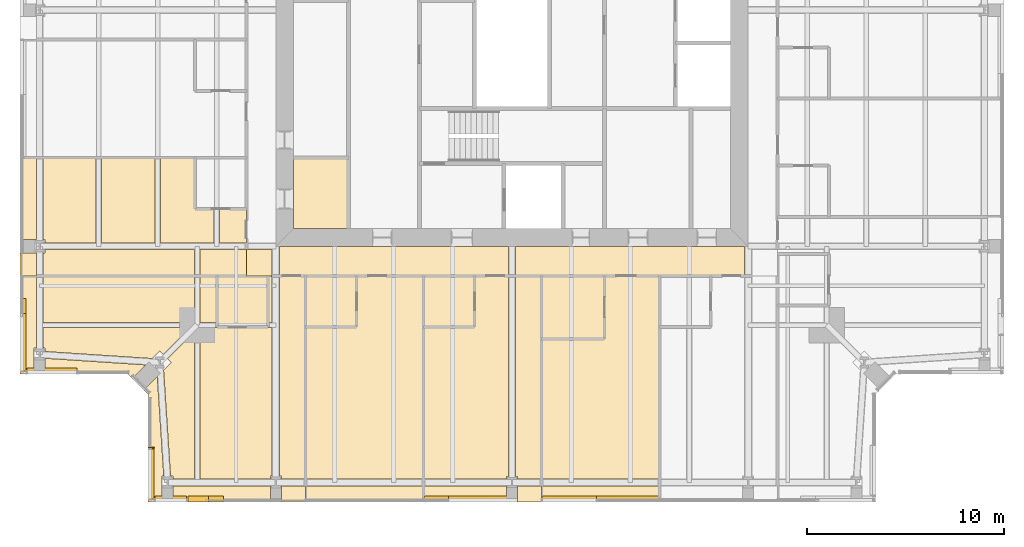
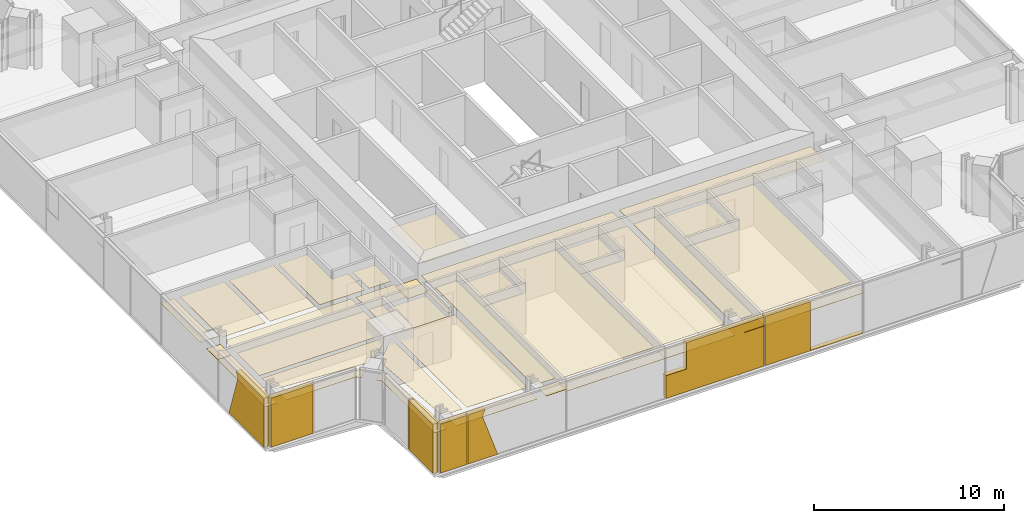
# One storey, part 16 of 20: 44 coverings.
"""IFC4 building model written with IfcOpenShell, lengths in metres."""

import ifcopenshell
import ifcopenshell.guid

model = None  # the IFC model being written
_history = None  # IfcOwnerHistory: only IFC2X3 demands one
_inside = {}  # id of a spatial element -> (the spatial element, [elements in it])
_under = {}  # id of a project, library or spatial element -> (it, [spatial elements below it])
_declared = {}  # id of a project -> (the project, [libraries it declares])
_typed = {}  # id of a type object -> (the type object, [elements of that type])
_made_of = {}  # id of a material, layer set ... -> (it, [elements and type objects made of it])


def new_model(schema):
    """Start an empty IFC model of exactly this schema.

    Asked for "IFC4X3", IfcOpenShell would pick the latest addendum, in which some entities
    have other attributes; the version numbers below select the first issue.
    IFC2X3 requires an IfcOwnerHistory on every rooted entity: one is made here for all.
    """
    global model, _history
    if schema == "IFC4X3":
        model = ifcopenshell.file(schema_version=(4, 3, 0, 0))
    else:
        model = ifcopenshell.file(schema=schema)
    _inside.clear()
    _under.clear()
    _declared.clear()
    _typed.clear()
    _made_of.clear()
    _history = None
    if model.schema == "IFC2X3":
        org = make("IfcOrganization", Name="unknown")
        user = make(
            "IfcPersonAndOrganization",
            ThePerson=make("IfcPerson", FamilyName="unknown"),
            TheOrganization=org,
        )
        app = make(
            "IfcApplication",
            ApplicationDeveloper=org,
            Version="unknown",
            ApplicationFullName="unknown",
            ApplicationIdentifier="unknown",
        )
        _history = make(
            "IfcOwnerHistory",
            OwningUser=user,
            OwningApplication=app,
            ChangeAction="ADDED",
            CreationDate=0,
        )
    return model


def make(cls, **values):
    """One entity of the class cls with the attributes given. An attribute that is None is left unset."""
    return model.create_entity(
        cls, **{name: value for name, value in values.items() if value is not None}
    )


def rooted(cls, **values):
    """An entity with a GlobalId (a new one), such as an element, a storey or a relation."""
    return make(cls, GlobalId=ifcopenshell.guid.new(), OwnerHistory=_history, **values)


def si_unit(unit_type, name, prefix=None):
    """IfcSIUnit, for example si_unit("LENGTHUNIT", "METRE", prefix="MILLI")."""
    return make("IfcSIUnit", UnitType=unit_type, Prefix=prefix, Name=name)


def assignment(units):
    """IfcUnitAssignment: the units of a project."""
    return None if units is None else make("IfcUnitAssignment", Units=units)


def point(xyz):
    """IfcCartesianPoint."""
    return None if xyz is None else make("IfcCartesianPoint", Coordinates=xyz)


def direction(xyz):
    """IfcDirection."""
    return None if xyz is None else make("IfcDirection", DirectionRatios=xyz)


def frame(location, z_axis=None, x_axis=None):
    """IfcAxis2Placement3D, a coordinate frame: its origin and axes. An axis left out is left unset."""
    return make(
        "IfcAxis2Placement3D",
        Location=point(location),
        Axis=direction(z_axis),
        RefDirection=direction(x_axis),
    )


def origin():
    """The frame at (0, 0, 0) with its axes left unset."""
    return frame((0.0, 0.0, 0.0))


def place(relative_to, where):
    """IfcLocalPlacement: puts the frame where relative to a parent placement (None: the world)."""
    return make(
        "IfcLocalPlacement", PlacementRelTo=relative_to, RelativePlacement=where
    )


def context(
    kind, dimensions, precision=None, world=None, true_north=None, identifier=None
):
    """IfcGeometricRepresentationContext, for example the 3D "Model" context."""
    return make(
        "IfcGeometricRepresentationContext",
        ContextIdentifier=identifier,
        ContextType=kind,
        CoordinateSpaceDimension=dimensions,
        Precision=precision,
        WorldCoordinateSystem=world,
        TrueNorth=true_north,
    )


def subcontext(parent, identifier, kind, view, scale=None):
    """IfcGeometricRepresentationSubContext, for example "Body" below "Model"."""
    return make(
        "IfcGeometricRepresentationSubContext",
        ContextIdentifier=identifier,
        ContextType=kind,
        ParentContext=parent,
        TargetScale=scale,
        TargetView=view,
    )


def project(units=None, contexts=None):
    """IfcProject with its units and contexts."""
    return rooted(
        "IfcProject",
        Name="project",
        RepresentationContexts=contexts,
        UnitsInContext=assignment(units),
    )


def spatial(cls, under=None, at=None, **own):
    """A site, building, storey or space (cls), placed at a placement, below another one or the project."""
    s = rooted(cls, ObjectPlacement=at, **own)
    if under is not None:
        _under.setdefault(under.id(), (under, []))[1].append(s)
    return s


def polyline(points):
    """IfcPolyline through the points."""
    return make("IfcPolyline", Points=[point(p) for p in points])


def outline(outer, holes=None, kind="AREA"):
    """IfcArbitraryClosedProfileDef: a profile drawn as a closed curve; with holes, ...WithVoids."""
    if holes is None:
        return make("IfcArbitraryClosedProfileDef", ProfileType=kind, OuterCurve=outer)
    return make(
        "IfcArbitraryProfileDefWithVoids",
        ProfileType=kind,
        OuterCurve=outer,
        InnerCurves=holes,
    )


def extrude(swept, where, along, depth):
    """IfcExtrudedAreaSolid: the profile swept, set in the frame where, extruded along a direction by depth."""
    return make(
        "IfcExtrudedAreaSolid",
        SweptArea=swept,
        Position=where,
        ExtrudedDirection=direction(along),
        Depth=depth,
    )


def shape(context_of_items, identifier, shape_type, items):
    """IfcShapeRepresentation: the items that make up one representation, for example the "Body"."""
    return make(
        "IfcShapeRepresentation",
        ContextOfItems=context_of_items,
        RepresentationIdentifier=identifier,
        RepresentationType=shape_type,
        Items=items,
    )


def material(Name=None, Category=None):
    """IfcMaterial."""
    return make("IfcMaterial", Name=Name, Category=Category)


def layer(
    of_material, thickness, ventilated=None, Name=None, Category=None, Priority=None
):
    """IfcMaterialLayer: one layer of a wall or slab, of a material (None: an air gap)."""
    return make(
        "IfcMaterialLayer",
        Material=of_material,
        LayerThickness=thickness,
        IsVentilated=ventilated,
        Name=Name,
        Category=Category,
        Priority=Priority,
    )


def layer_set(layers, Name=None):
    """IfcMaterialLayerSet."""
    return make("IfcMaterialLayerSet", MaterialLayers=layers, LayerSetName=Name)


def made_of(thing, what):
    """Note that an element or type object is made of a material, layer set ...; save() writes the relation."""
    if what is not None:
        _made_of.setdefault(what.id(), (what, []))[1].append(thing)
    return thing


def type_object(cls, material=None, **own):
    """A type object (cls), such as IfcWallType, which elements share."""
    return made_of(rooted(cls, **own), material)


def element(
    cls,
    number,
    at=None,
    inside=None,
    cuts=None,
    type_object=None,
    material=None,
    context=None,
    identifier="Body",
    shape_type=None,
    held_by="IfcProductDefinitionShape",
    body=None,
    shapes=None,
    **own,
):
    """One element of the class cls, such as IfcWall. Its Tag is "e" and its number.

    at: its placement. inside: the storey or other place that contains it. cuts: it is an
    opening in that element (IfcRelVoidsElement). A single representation is given by context,
    identifier, shape_type and body (its items); several are given by shapes. held_by: the class
    of the entity that holds the representations. save() writes the other relations.
    """
    e = rooted(cls, Tag="e%d" % number, ObjectPlacement=at, **own)
    if body is not None:
        shapes = [shape(context, identifier, shape_type, body)]
    if shapes is not None:
        e.Representation = make(held_by, Representations=shapes)
    if inside is not None:
        _inside.setdefault(inside.id(), (inside, []))[1].append(e)
    if cuts is not None:
        rooted(
            "IfcRelVoidsElement", RelatingBuildingElement=cuts, RelatedOpeningElement=e
        )
    if type_object is not None:
        _typed.setdefault(type_object.id(), (type_object, []))[1].append(e)
    return made_of(e, material)


def aggregate(whole, parts):
    """IfcRelAggregates: a whole, such as a stair, and the parts it consists of."""
    return rooted("IfcRelAggregates", RelatingObject=whole, RelatedObjects=parts)


def save(model, path):
    """Write the relations noted so far, then the file.

    IfcRelAggregates (storeys below a building ...), IfcRelContainedInSpatialStructure (elements
    in a storey), IfcRelDefinesByType, IfcRelAssociatesMaterial and IfcRelDeclares: one each for
    every whole, place, type object, material and project.
    """
    for whole, parts in _under.values():
        aggregate(whole, parts)
    for where, things in _inside.values():
        rooted(
            "IfcRelContainedInSpatialStructure",
            RelatedElements=things,
            RelatingStructure=where,
        )
    for kind, things in _typed.values():
        rooted("IfcRelDefinesByType", RelatedObjects=things, RelatingType=kind)
    for what, things in _made_of.values():
        rooted("IfcRelAssociatesMaterial", RelatedObjects=things, RelatingMaterial=what)
    for by, libraries in _declared.values():
        rooted("IfcRelDeclares", RelatingContext=by, RelatedDefinitions=libraries)
    model.write(path)


model = new_model("IFC4")

# Units and contexts
model_context = context("Model", 3, precision=1e-05, world=origin(), true_north=direction((0.0, 1.0)))
body_context = subcontext(model_context, "Body", "Model", "MODEL_VIEW")
ifc_project = project(units=[si_unit("LENGTHUNIT", "METRE"), si_unit("AREAUNIT", "SQUARE_METRE"), si_unit("VOLUMEUNIT", "CUBIC_METRE"), si_unit("PLANEANGLEUNIT", "RADIAN"), si_unit("MASSUNIT", "GRAM", prefix="KILO")], contexts=[model_context])

# Site, building, storey
site_placement = place(None, origin())
site = spatial("IfcSite", under=ifc_project, at=site_placement, CompositionType="ELEMENT")
building_placement = place(site_placement, origin())
building = spatial("IfcBuilding", under=site, at=building_placement, Name="Fenwick Lantern Interchange", CompositionType="ELEMENT")
storey_placement = place(building_placement, frame((0.0, 0.0, 252.60009765625)))
storey = spatial("IfcBuildingStorey", under=building, at=storey_placement, Name="L59", CompositionType="ELEMENT", Elevation=252.60009765625)

# Coverings
ifc_material_1 = material(Name="Granite cladding, warm grey flamed finish, on aluminium carrier frame", Category="masonry")
ifc_layer_1 = layer(ifc_material_1, 0.300048828125)
ifc_layer_set_1 = layer_set([ifc_layer_1], Name="BRACE CASING PANEL 300")
covering_type_1 = type_object("IfcCoveringType", Name="BRACE CASING PANEL 300", PredefinedType="CLADDING", material=ifc_layer_set_1)
covering_1_placement = place(storey_placement, frame((6.60009765625, 0.10009765625, 0.0), z_axis=(0.0, 0.0, 1.0), x_axis=(1.0, 0.0, 0.0)))
element("IfcCovering", 1, at=covering_1_placement, inside=storey, type_object=covering_type_1, Name="Brace casing 01 bay 00a", PredefinedType="CLADDING", context=body_context, shape_type="SweptSolid", body=[
    extrude(outline(polyline([(0.260009765625, 0.0), (1.8701171875, 0.0), (1.8701171875, 3.14990234375), (0.260009765625, 3.14990234375), (0.260009765625, 0.0)])), frame((0.0, 0.2099609375, 0.0), z_axis=(0.0, -1.0, 0.0), x_axis=(1.0, 0.0, 0.0)), (0.0, 0.0, 1.0), 0.300048828125),
])
covering_2_placement = place(storey_placement, frame((6.60009765625, 0.10009765625, 0.0), z_axis=(0.0, 0.0, 1.0), x_axis=(1.0, 0.0, 0.0)))
element("IfcCovering", 2, at=covering_2_placement, inside=storey, type_object=covering_type_1, Name="Brace casing 01 bay 01a", PredefinedType="CLADDING", context=body_context, shape_type="SweptSolid", body=[
    extrude(outline(polyline([(1.929931640625, 0.0), (3.7431640625, 0.0), (2.81884765625, 2.737548828125), (2.985595703125, 3.14990234375), (1.929931640625, 3.14990234375), (1.929931640625, 0.0)])), frame((0.0, 0.2099609375, 0.0), z_axis=(0.0, -1.0, 0.0), x_axis=(1.0, 0.0, 0.0)), (0.0, 0.0, 1.0), 0.300048828125),
])
covering_3_placement = place(storey_placement, frame((6.60009765625, 0.10009765625, 0.0), z_axis=(0.0, 0.0, 1.0), x_axis=(1.0, 0.0, 0.0)))
element("IfcCovering", 3, at=covering_3_placement, inside=storey, type_object=covering_type_1, Name="Brace casing 01 bay 03a", PredefinedType="CLADDING", context=body_context, shape_type="SweptSolid", body=[
    extrude(outline(polyline([(13.929931640625, 0.0), (19.8701171875, 0.0), (19.8701171875, 3.14990234375), (15.179931640625, 3.14990234375), (15.179931640625, 1.45751953125), (13.929931640625, 1.45751953125), (13.929931640625, 0.0)])), frame((0.0, 0.2099609375, 0.0), z_axis=(0.0, -1.0, 0.0), x_axis=(1.0, 0.0, 0.0)), (0.0, 0.0, 1.0), 0.300048828125),
])
covering_4_placement = place(storey_placement, frame((6.60009765625, 0.10009765625, 0.0), z_axis=(0.0, 0.0, 1.0), x_axis=(1.0, 0.0, 0.0)))
element("IfcCovering", 4, at=covering_4_placement, inside=storey, type_object=covering_type_1, Name="Brace casing 01 bay 04a", PredefinedType="CLADDING", context=body_context, shape_type="SweptSolid", body=[
    extrude(outline(polyline([(19.929931640625, 0.0), (25.8701171875, 0.0), (25.8701171875, 0.004150390625), (22.690673828125, 0.004150390625), (22.690673828125, 3.14990234375), (19.929931640625, 3.14990234375), (19.929931640625, 0.0)])), frame((0.0, 0.2099609375, 0.0), z_axis=(0.0, -1.0, 0.0), x_axis=(1.0, 0.0, 0.0)), (0.0, 0.0, 1.0), 0.300048828125),
])
covering_5_placement = place(storey_placement, frame((0.10009765625, 43.39990234375, 0.0), z_axis=(0.0, 0.0, 1.0), x_axis=(0.0, -1.0, 0.0)))
element("IfcCovering", 5, at=covering_5_placement, inside=storey, type_object=covering_type_1, Name="Brace casing 13 bay 06a", PredefinedType="CLADDING", context=body_context, shape_type="SweptSolid", body=[
    extrude(outline(polyline([(33.056884765625, 0.0), (36.739990234375, 0.0), (36.739990234375, 3.14990234375), (33.814453125, 3.14990234375), (33.981201171875, 2.737548828125), (33.056884765625, 0.0)])), frame((0.0, 0.2099609375, 0.0), z_axis=(0.0, -1.0, 0.0), x_axis=(1.0, 0.0, 0.0)), (0.0, 0.0, 1.0), 0.300048828125),
])
covering_6_placement = place(storey_placement, frame((0.10009765625, 6.60009765625, 0.0), z_axis=(0.0, 0.0, 1.0), x_axis=(1.0, 0.0, 0.0)))
element("IfcCovering", 6, at=covering_6_placement, inside=storey, type_object=covering_type_1, Name="Brace casing 14 bay 00a", PredefinedType="CLADDING", context=body_context, shape_type="SweptSolid", body=[
    extrude(outline(polyline([(0.260009765625, 0.0), (2.790771484375, 0.0), (2.790771484375, 3.14990234375), (0.260009765625, 3.14990234375), (0.260009765625, 0.0)])), frame((0.0, 0.2099609375, 0.0), z_axis=(0.0, -1.0, 0.0), x_axis=(1.0, 0.0, 0.0)), (0.0, 0.0, 1.0), 0.300048828125),
])
covering_7_placement = place(storey_placement, frame((6.60009765625, 5.54150390625, 0.0), z_axis=(0.0, 0.0, 1.0), x_axis=(0.0, -1.0, 0.0)))
element("IfcCovering", 7, at=covering_7_placement, inside=storey, type_object=covering_type_1, Name="Brace casing 16 bay 00a", PredefinedType="CLADDING", context=body_context, shape_type="SweptSolid", body=[
    extrude(outline(polyline([(2.741455078125, 0.0), (2.790771484375, 0.0), (2.790771484375, 3.14990234375), (2.741455078125, 3.14990234375), (2.741455078125, 0.0)])), frame((0.0, 0.2099609375, 0.0), z_axis=(0.0, -1.0, 0.0), x_axis=(1.0, 0.0, 0.0)), (0.0, 0.0, 1.0), 0.300048828125),
])
covering_8_placement = place(storey_placement, frame((6.60009765625, 5.54150390625, 0.0), z_axis=(0.0, 0.0, 1.0), x_axis=(0.0, -1.0, 0.0)))
element("IfcCovering", 8, at=covering_8_placement, inside=storey, type_object=covering_type_1, Name="Brace casing 16 bay 01a", PredefinedType="CLADDING", context=body_context, shape_type="SweptSolid", body=[
    extrude(outline(polyline([(2.850830078125, 0.0), (5.38134765625, 0.0), (5.38134765625, 3.14990234375), (2.850830078125, 3.14990234375), (2.850830078125, 0.0)])), frame((0.0, 0.2099609375, 0.0), z_axis=(0.0, -1.0, 0.0), x_axis=(1.0, 0.0, 0.0)), (0.0, 0.0, 1.0), 0.300048828125),
])
ifc_material_2 = material(Name="Moisture resistant gypsum board on suspended frame, painted")
ifc_layer_2 = layer(ifc_material_2, 0.014892578125)
ifc_layer_set_2 = layer_set([ifc_layer_2], Name="MOISTURE RESISTANT CEILING 15")
covering_type_2 = type_object("IfcCoveringType", Name="MOISTURE RESISTANT CEILING 15", PredefinedType="CEILING", material=ifc_layer_set_2)
covering_9_placement = place(storey_placement, frame((0.0, 0.0, 2.599853515625)))
element("IfcCovering", 9, at=covering_9_placement, inside=storey, type_object=covering_type_2, Name="Accessible WC and shower ceiling", PredefinedType="CEILING", context=body_context, shape_type="SweptSolid", body=[
    extrude(outline(polyline([(13.89990234375, 13.89990234375), (16.699951171875, 13.89990234375), (16.699951171875, 17.5), (13.89990234375, 17.5), (13.89990234375, 13.89990234375)])), origin(), (0.0, 0.0, 1.0), 0.01513671875),
])
covering_10_placement = place(storey_placement, frame((0.0, 0.0, 2.39990234375)))
element("IfcCovering", 10, at=covering_10_placement, inside=storey, type_object=covering_type_2, Name="En-suite 5901 ceiling", PredefinedType="CEILING", context=body_context, shape_type="SweptSolid", body=[
    extrude(outline(polyline([(10.0, 8.89990234375), (12.60009765625, 8.89990234375), (12.60009765625, 11.5), (10.0, 11.5), (10.0, 8.89990234375)])), origin(), (0.0, 0.0, 1.0), 0.014892578125),
])
covering_11_placement = place(storey_placement, frame((0.0, 0.0, 2.39990234375)))
element("IfcCovering", 11, at=covering_11_placement, inside=storey, type_object=covering_type_2, Name="En-suite 5902 ceiling", PredefinedType="CEILING", context=body_context, shape_type="SweptSolid", body=[
    extrude(outline(polyline([(14.5, 8.89990234375), (17.10009765625, 8.89990234375), (17.10009765625, 11.5), (14.5, 11.5), (14.5, 8.89990234375)])), origin(), (0.0, 0.0, 1.0), 0.014892578125),
])
covering_12_placement = place(storey_placement, frame((0.0, 0.0, 2.39990234375)))
element("IfcCovering", 12, at=covering_12_placement, inside=storey, type_object=covering_type_2, Name="En-suite 5903 ceiling", PredefinedType="CEILING", context=body_context, shape_type="SweptSolid", body=[
    extrude(outline(polyline([(20.5, 8.89990234375), (23.10009765625, 8.89990234375), (23.10009765625, 11.5), (20.5, 11.5), (20.5, 8.89990234375)])), origin(), (0.0, 0.0, 1.0), 0.014892578125),
])
covering_13_placement = place(storey_placement, frame((0.0, 0.0, 2.39990234375)))
element("IfcCovering", 13, at=covering_13_placement, inside=storey, type_object=covering_type_2, Name="En-suite 5904 ceiling", PredefinedType="CEILING", context=body_context, shape_type="SweptSolid", body=[
    extrude(outline(polyline([(26.5, 8.300048828125), (29.699951171875, 8.300048828125), (29.699951171875, 11.5), (26.5, 11.5), (26.5, 8.300048828125)])), origin(), (0.0, 0.0, 1.0), 0.014892578125),
])
ifc_material_3 = material(Name="Gypsum plasterboard on suspended frame, painted")
ifc_layer_3 = layer(ifc_material_3, 0.014892578125)
ifc_layer_set_3 = layer_set([ifc_layer_3], Name="PLASTERBOARD CEILING 15")
covering_type_3 = type_object("IfcCoveringType", Name="PLASTERBOARD CEILING 15", PredefinedType="CEILING", material=ifc_layer_set_3)
covering_14_placement = place(storey_placement, frame((0.0, 0.0, 2.57275390625)))
element("IfcCovering", 14, at=covering_14_placement, inside=storey, type_object=covering_type_3, Name="Corridor ceiling", PredefinedType="CEILING", context=body_context, shape_type="SweptSolid", body=[
    extrude(outline(polyline([(13.183837890625, 11.5), (24.816162109375, 11.5), (24.816162109375, 13.0), (13.183837890625, 13.0), (13.183837890625, 11.5)])), origin(), (0.0, 0.0, 1.0), 0.014892578125),
])
covering_15_placement = place(storey_placement, frame((0.0, 0.0, 2.57275390625)))
element("IfcCovering", 15, at=covering_15_placement, inside=storey, type_object=covering_type_3, Name="Corridor ceiling", PredefinedType="CEILING", context=body_context, shape_type="SweptSolid", body=[
    extrude(outline(polyline([(25.183837890625, 11.5), (36.816162109375, 11.5), (36.816162109375, 13.0), (25.183837890625, 13.0), (25.183837890625, 11.5)])), origin(), (0.0, 0.0, 1.0), 0.014892578125),
])
covering_16_placement = place(storey_placement, frame((0.0, 0.0, 2.57275390625)))
element("IfcCovering", 16, at=covering_16_placement, inside=storey, type_object=covering_type_3, Name="Corridor ceiling", PredefinedType="CEILING", context=body_context, shape_type="SweptSolid", body=[
    extrude(outline(polyline([(11.5, 11.5), (12.816162109375, 11.5), (12.816162109375, 12.833984375), (11.5, 12.833984375), (11.5, 11.5)])), origin(), (0.0, 0.0, 1.0), 0.014892578125),
])
covering_17_placement = place(storey_placement, frame((0.0, 0.0, 2.699951171875)))
element("IfcCovering", 17, at=covering_17_placement, inside=storey, type_object=covering_type_3, Name="Guest suite 5901 ceiling", PredefinedType="CEILING", context=body_context, shape_type="SweptSolid", body=[
    extrude(outline(polyline([(12.72265625, 1.33447265625), (12.816162109375, 1.33447265625), (12.816162109375, 8.865478515625), (9.134521484375, 8.865478515625), (9.134521484375, 1.17236328125), (12.72265625, 1.17236328125), (12.72265625, 1.33447265625)])), origin(), (0.0, 0.0, 1.0), 0.014892578125),
])
covering_18_placement = place(storey_placement, frame((0.0, 0.0, 2.699951171875)))
element("IfcCovering", 18, at=covering_18_placement, inside=storey, type_object=covering_type_3, Name="Guest suite 5901 ceiling", PredefinedType="CEILING", context=body_context, shape_type="SweptSolid", body=[
    extrude(outline(polyline([(8.865478515625, 11.5), (1.17236328125, 11.5), (1.17236328125, 9.134521484375), (8.865478515625, 9.134521484375), (8.865478515625, 11.5)])), origin(), (0.0, 0.0, 1.0), 0.014892578125),
])
covering_19_placement = place(storey_placement, frame((0.0, 0.0, 2.699951171875)))
element("IfcCovering", 19, at=covering_19_placement, inside=storey, type_object=covering_type_3, Name="Guest suite 5901 ceiling", PredefinedType="CEILING", context=body_context, shape_type="SweptSolid", body=[
    extrude(outline(polyline([(14.5, 11.5), (13.183837890625, 11.5), (13.183837890625, 1.33447265625), (13.27734375, 1.33447265625), (13.27734375, 1.17236328125), (14.5, 1.17236328125), (14.5, 11.5)])), origin(), (0.0, 0.0, 1.0), 0.014892578125),
])
covering_20_placement = place(storey_placement, frame((0.0, 0.0, 2.699951171875)))
element("IfcCovering", 20, at=covering_20_placement, inside=storey, type_object=covering_type_3, Name="Guest suite 5901 ceiling", PredefinedType="CEILING", context=body_context, shape_type="SweptSolid", body=[
    extrude(outline(polyline([(7.10009765625, 7.6826171875), (7.28271484375, 7.499755859375), (8.648681640625, 8.865478515625), (1.17236328125, 8.865478515625), (1.17236328125, 7.83447265625), (1.27734375, 7.83447265625), (1.27734375, 7.654541015625), (6.715576171875, 7.298095703125), (7.10009765625, 7.6826171875)])), origin(), (0.0, 0.0, 1.0), 0.014892578125),
])
covering_21_placement = place(storey_placement, frame((0.0, 0.0, 2.699951171875)))
element("IfcCovering", 21, at=covering_21_placement, inside=storey, type_object=covering_type_3, Name="Guest suite 5901 ceiling", PredefinedType="CEILING", context=body_context, shape_type="SweptSolid", body=[
    extrude(outline(polyline([(7.77734375, 1.33447265625), (7.77734375, 1.17236328125), (8.865478515625, 1.17236328125), (8.865478515625, 8.648681640625), (7.499755859375, 7.28271484375), (7.6826171875, 7.10009765625), (7.298095703125, 6.715576171875), (7.65087890625, 1.33447265625), (7.77734375, 1.33447265625)])), origin(), (0.0, 0.0, 1.0), 0.014892578125),
])
covering_22_placement = place(storey_placement, frame((0.0, 0.0, 2.699951171875)))
element("IfcCovering", 22, at=covering_22_placement, inside=storey, type_object=covering_type_3, Name="Guest suite 5901 ceiling", PredefinedType="CEILING", context=body_context, shape_type="SweptSolid", body=[
    extrude(outline(polyline([(7.22265625, 1.33447265625), (7.30517578125, 1.33447265625), (6.9736328125, 6.39111328125), (6.291259765625, 5.708740234375), (6.5, 5.5), (6.5, 0.0), (7.22265625, 0.0), (7.22265625, 1.33447265625)])), origin(), (0.0, 0.0, 1.0), 0.014892578125),
])
covering_23_placement = place(storey_placement, frame((0.0, 0.0, 2.699951171875)))
element("IfcCovering", 23, at=covering_23_placement, inside=storey, type_object=covering_type_3, Name="Guest suite 5901 ceiling", PredefinedType="CEILING", context=body_context, shape_type="SweptSolid", body=[
    extrude(outline(polyline([(12.72265625, 0.0), (12.72265625, 0.82763671875), (7.77734375, 0.82763671875), (7.77734375, 0.0), (12.72265625, 0.0)])), origin(), (0.0, 0.0, 1.0), 0.014892578125),
])
covering_24_placement = place(storey_placement, frame((0.0, 0.0, 2.699951171875)))
element("IfcCovering", 24, at=covering_24_placement, inside=storey, type_object=covering_type_3, Name="Guest suite 5901 ceiling", PredefinedType="CEILING", context=body_context, shape_type="SweptSolid", body=[
    extrude(outline(polyline([(0.72265625, 7.83447265625), (0.82763671875, 7.83447265625), (0.82763671875, 11.5), (0.0, 11.5), (0.0, 6.5), (0.72265625, 6.5), (0.72265625, 7.83447265625)])), origin(), (0.0, 0.0, 1.0), 0.014892578125),
])
covering_25_placement = place(storey_placement, frame((0.0, 0.0, 2.699951171875)))
element("IfcCovering", 25, at=covering_25_placement, inside=storey, type_object=covering_type_3, Name="Guest suite 5901 ceiling", PredefinedType="CEILING", context=body_context, shape_type="SweptSolid", body=[
    extrude(outline(polyline([(5.708740234375, 6.291259765625), (6.39111328125, 6.9736328125), (1.27734375, 7.30908203125), (1.27734375, 6.5), (5.5, 6.5), (5.708740234375, 6.291259765625)])), origin(), (0.0, 0.0, 1.0), 0.014892578125),
])
covering_26_placement = place(storey_placement, frame((0.0, 0.0, 2.699951171875)))
element("IfcCovering", 26, at=covering_26_placement, inside=storey, type_object=covering_type_3, Name="Guest suite 5901 ceiling", PredefinedType="CEILING", context=body_context, shape_type="SweptSolid", body=[
    extrude(outline(polyline([(10.0, 9.134521484375), (10.0, 11.5), (9.134521484375, 11.5), (9.134521484375, 9.134521484375), (10.0, 9.134521484375)])), origin(), (0.0, 0.0, 1.0), 0.014892578125),
])
covering_27_placement = place(storey_placement, frame((0.0, 0.0, 2.699951171875)))
element("IfcCovering", 27, at=covering_27_placement, inside=storey, type_object=covering_type_3, Name="Guest suite 5901 ceiling", PredefinedType="CEILING", context=body_context, shape_type="SweptSolid", body=[
    extrude(outline(polyline([(14.5, 0.0), (14.5, 0.82763671875), (13.27734375, 0.82763671875), (13.27734375, 0.0), (14.5, 0.0)])), origin(), (0.0, 0.0, 1.0), 0.014892578125),
])
covering_28_placement = place(storey_placement, frame((0.0, 0.0, 2.699951171875)))
element("IfcCovering", 28, at=covering_28_placement, inside=storey, type_object=covering_type_3, Name="Guest suite 5901 ceiling", PredefinedType="CEILING", context=body_context, shape_type="SweptSolid", body=[
    extrude(outline(polyline([(12.60009765625, 11.5), (12.60009765625, 9.134521484375), (12.816162109375, 9.134521484375), (12.816162109375, 11.5), (12.60009765625, 11.5)])), origin(), (0.0, 0.0, 1.0), 0.014892578125),
])
covering_29_placement = place(storey_placement, frame((0.0, 0.0, 2.57275390625)))
element("IfcCovering", 29, at=covering_29_placement, inside=storey, type_object=covering_type_3, Name="Guest room 5902 ceiling", PredefinedType="CEILING", context=body_context, shape_type="SweptSolid", body=[
    extrude(outline(polyline([(20.5, 1.17236328125), (20.5, 11.5), (17.10009765625, 11.5), (17.10009765625, 8.89990234375), (14.5, 8.89990234375), (14.5, 1.17236328125), (20.5, 1.17236328125)])), origin(), (0.0, 0.0, 1.0), 0.014892578125),
])
covering_30_placement = place(storey_placement, frame((0.0, 0.0, 2.57275390625)))
element("IfcCovering", 30, at=covering_30_placement, inside=storey, type_object=covering_type_3, Name="Guest room 5902 ceiling", PredefinedType="CEILING", context=body_context, shape_type="SweptSolid", body=[
    extrude(outline(polyline([(20.5, 0.0), (20.5, 0.82763671875), (14.5, 0.82763671875), (14.5, 0.0), (20.5, 0.0)])), origin(), (0.0, 0.0, 1.0), 0.014892578125),
])
covering_31_placement = place(storey_placement, frame((0.0, 0.0, 2.57275390625)))
element("IfcCovering", 31, at=covering_31_placement, inside=storey, type_object=covering_type_3, Name="Guest room 5903 ceiling", PredefinedType="CEILING", context=body_context, shape_type="SweptSolid", body=[
    extrude(outline(polyline([(24.72900390625, 1.3154296875), (24.816162109375, 1.3154296875), (24.816162109375, 11.5), (23.10009765625, 11.5), (23.10009765625, 8.89990234375), (20.5, 8.89990234375), (20.5, 1.17236328125), (24.72900390625, 1.17236328125), (24.72900390625, 1.3154296875)])), origin(), (0.0, 0.0, 1.0), 0.014892578125),
])
covering_32_placement = place(storey_placement, frame((0.0, 0.0, 2.57275390625)))
element("IfcCovering", 32, at=covering_32_placement, inside=storey, type_object=covering_type_3, Name="Guest room 5903 ceiling", PredefinedType="CEILING", context=body_context, shape_type="SweptSolid", body=[
    extrude(outline(polyline([(25.27099609375, 1.3154296875), (25.27099609375, 1.17236328125), (26.5, 1.17236328125), (26.5, 11.5), (25.183837890625, 11.5), (25.183837890625, 1.3154296875), (25.27099609375, 1.3154296875)])), origin(), (0.0, 0.0, 1.0), 0.014892578125),
])
covering_33_placement = place(storey_placement, frame((0.0, 0.0, 2.57275390625)))
element("IfcCovering", 33, at=covering_33_placement, inside=storey, type_object=covering_type_3, Name="Guest room 5903 ceiling", PredefinedType="CEILING", context=body_context, shape_type="SweptSolid", body=[
    extrude(outline(polyline([(24.72900390625, 0.0), (24.72900390625, 0.82763671875), (20.5, 0.82763671875), (20.5, 0.0), (24.72900390625, 0.0)])), origin(), (0.0, 0.0, 1.0), 0.014892578125),
])
covering_34_placement = place(storey_placement, frame((0.0, 0.0, 2.57275390625)))
element("IfcCovering", 34, at=covering_34_placement, inside=storey, type_object=covering_type_3, Name="Guest room 5903 ceiling", PredefinedType="CEILING", context=body_context, shape_type="SweptSolid", body=[
    extrude(outline(polyline([(25.27099609375, 0.0), (26.5, 0.0), (26.5, 0.82763671875), (25.27099609375, 0.82763671875), (25.27099609375, 0.0)])), origin(), (0.0, 0.0, 1.0), 0.014892578125),
])
covering_35_placement = place(storey_placement, frame((0.0, 0.0, 2.57275390625)))
element("IfcCovering", 35, at=covering_35_placement, inside=storey, type_object=covering_type_3, Name="Guest room 5904 ceiling", PredefinedType="CEILING", context=body_context, shape_type="SweptSolid", body=[
    extrude(outline(polyline([(32.5, 1.17236328125), (32.5, 11.5), (29.699951171875, 11.5), (29.699951171875, 8.300048828125), (26.5, 8.300048828125), (26.5, 1.17236328125), (32.5, 1.17236328125)])), origin(), (0.0, 0.0, 1.0), 0.014892578125),
])
covering_36_placement = place(storey_placement, frame((0.0, 0.0, 2.57275390625)))
element("IfcCovering", 36, at=covering_36_placement, inside=storey, type_object=covering_type_3, Name="Guest room 5904 ceiling", PredefinedType="CEILING", context=body_context, shape_type="SweptSolid", body=[
    extrude(outline(polyline([(32.5, 0.0), (32.5, 0.82763671875), (26.5, 0.82763671875), (26.5, 0.0), (32.5, 0.0)])), origin(), (0.0, 0.0, 1.0), 0.014892578125),
])
covering_37_placement = place(storey_placement, frame((0.0, 0.0, 2.699951171875)))
element("IfcCovering", 37, at=covering_37_placement, inside=storey, type_object=covering_type_3, Name="Guest room 5920 ceiling", PredefinedType="CEILING", context=body_context, shape_type="SweptSolid", body=[
    extrude(outline(polyline([(6.865478515625, 17.5), (4.134521484375, 17.5), (4.134521484375, 13.166015625), (6.865478515625, 13.166015625), (6.865478515625, 17.5)])), origin(), (0.0, 0.0, 1.0), 0.014892578125),
])
covering_38_placement = place(storey_placement, frame((0.0, 0.0, 2.699951171875)))
element("IfcCovering", 38, at=covering_38_placement, inside=storey, type_object=covering_type_3, Name="Guest room 5920 ceiling", PredefinedType="CEILING", context=body_context, shape_type="SweptSolid", body=[
    extrude(outline(polyline([(1.27734375, 13.33447265625), (1.27734375, 13.166015625), (3.865478515625, 13.166015625), (3.865478515625, 17.5), (1.17236328125, 17.5), (1.17236328125, 13.33447265625), (1.27734375, 13.33447265625)])), origin(), (0.0, 0.0, 1.0), 0.014892578125),
])
covering_39_placement = place(storey_placement, frame((0.0, 0.0, 2.699951171875)))
element("IfcCovering", 39, at=covering_39_placement, inside=storey, type_object=covering_type_3, Name="Guest room 5920 ceiling", PredefinedType="CEILING", context=body_context, shape_type="SweptSolid", body=[
    extrude(outline(polyline([(1.27734375, 12.66552734375), (1.17236328125, 12.66552734375), (1.17236328125, 11.5), (8.865478515625, 11.5), (8.865478515625, 12.833984375), (1.27734375, 12.833984375), (1.27734375, 12.66552734375)])), origin(), (0.0, 0.0, 1.0), 0.014892578125),
])
covering_40_placement = place(storey_placement, frame((0.0, 0.0, 2.699951171875)))
element("IfcCovering", 40, at=covering_40_placement, inside=storey, type_object=covering_type_3, Name="Guest room 5920 ceiling", PredefinedType="CEILING", context=body_context, shape_type="SweptSolid", body=[
    extrude(outline(polyline([(8.89990234375, 17.5), (7.134521484375, 17.5), (7.134521484375, 13.166015625), (9.865478515625, 13.166015625), (9.865478515625, 14.89990234375), (8.89990234375, 14.89990234375), (8.89990234375, 17.5)])), origin(), (0.0, 0.0, 1.0), 0.014892578125),
])
covering_41_placement = place(storey_placement, frame((0.0, 0.0, 2.699951171875)))
element("IfcCovering", 41, at=covering_41_placement, inside=storey, type_object=covering_type_3, Name="Guest room 5920 ceiling", PredefinedType="CEILING", context=body_context, shape_type="SweptSolid", body=[
    extrude(outline(polyline([(0.0, 13.33447265625), (0.82763671875, 13.33447265625), (0.82763671875, 17.5), (0.0, 17.5), (0.0, 13.33447265625)])), origin(), (0.0, 0.0, 1.0), 0.014892578125),
])
covering_42_placement = place(storey_placement, frame((0.0, 0.0, 2.699951171875)))
element("IfcCovering", 42, at=covering_42_placement, inside=storey, type_object=covering_type_3, Name="Guest room 5920 ceiling", PredefinedType="CEILING", context=body_context, shape_type="SweptSolid", body=[
    extrude(outline(polyline([(11.5, 11.5), (11.5, 12.833984375), (9.134521484375, 12.833984375), (9.134521484375, 11.5), (11.5, 11.5)])), origin(), (0.0, 0.0, 1.0), 0.014892578125),
])
covering_43_placement = place(storey_placement, frame((0.0, 0.0, 2.699951171875)))
element("IfcCovering", 43, at=covering_43_placement, inside=storey, type_object=covering_type_3, Name="Guest room 5920 ceiling", PredefinedType="CEILING", context=body_context, shape_type="SweptSolid", body=[
    extrude(outline(polyline([(11.5, 14.89990234375), (10.134521484375, 14.89990234375), (10.134521484375, 13.166015625), (11.5, 13.166015625), (11.5, 14.89990234375)])), origin(), (0.0, 0.0, 1.0), 0.014892578125),
])
covering_44_placement = place(storey_placement, frame((0.0, 0.0, 2.699951171875)))
element("IfcCovering", 44, at=covering_44_placement, inside=storey, type_object=covering_type_3, Name="Guest room 5920 ceiling", PredefinedType="CEILING", context=body_context, shape_type="SweptSolid", body=[
    extrude(outline(polyline([(0.0, 12.66552734375), (0.0, 11.5), (0.82763671875, 11.5), (0.82763671875, 12.66552734375), (0.0, 12.66552734375)])), origin(), (0.0, 0.0, 1.0), 0.014892578125),
])

save(model, "model.ifc")
